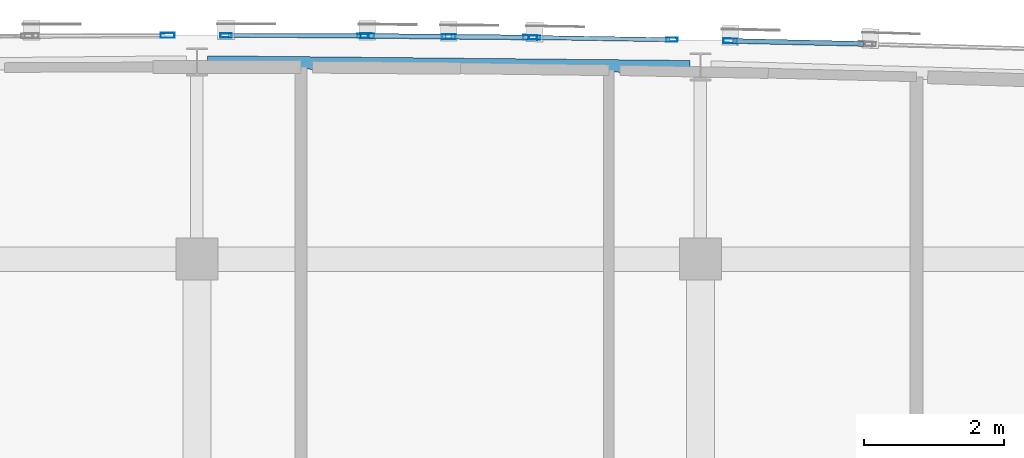
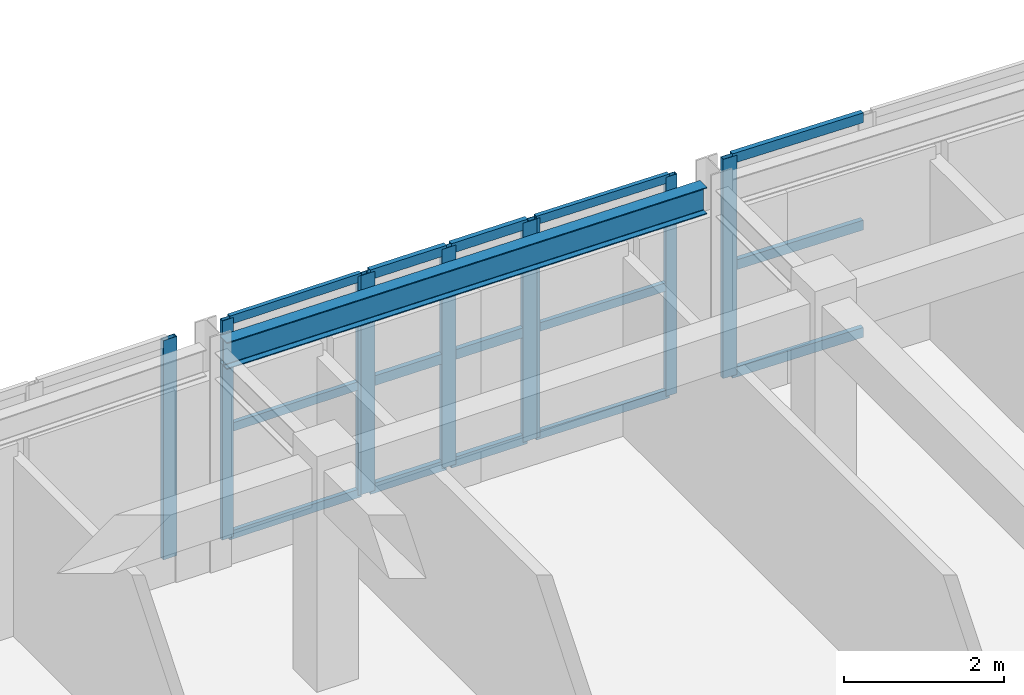
# One storey, part 18 of 48: 24 members, 1 beam, 5 elements without a shape of their own.
"""IFC4 building model written with IfcOpenShell, lengths in metres."""

from ifc_helpers import new_model, si_unit, direction, frame, origin, origin_2d, place, context, subcontext, project, spatial, hollow_rectangle, i_section, extrude, material, layer, layer_set, material_profile, profile_set, type_object, element, aggregate, save


model = new_model("IFC4")

# Units and contexts
model_context = context("Model", 3, precision=1e-05, world=origin(), true_north=direction((0.0, 1.0)))
body_context = subcontext(model_context, "Body", "Model", "MODEL_VIEW")
ifc_project = project(units=[si_unit("LENGTHUNIT", "METRE"), si_unit("AREAUNIT", "SQUARE_METRE"), si_unit("VOLUMEUNIT", "CUBIC_METRE"), si_unit("PLANEANGLEUNIT", "RADIAN"), si_unit("MASSUNIT", "GRAM", prefix="KILO")], contexts=[model_context])

# Site, building, storey
site_placement = place(None, origin())
site = spatial("IfcSite", under=ifc_project, at=site_placement, CompositionType="ELEMENT")
building_placement = place(site_placement, origin())
building = spatial("IfcBuilding", under=site, at=building_placement, Name="Carrowvane Square Congress Hotel", CompositionType="ELEMENT")
storey_placement = place(building_placement, frame((0.0, 0.0, 26.39990234375)))
storey = spatial("IfcBuildingStorey", under=building, at=storey_placement, Name="L06", CompositionType="ELEMENT", Elevation=26.39990234375)

# Beam
ifc_material_1 = material(Name="Steel S355", Category="steel")
ifc_material_profile_1 = material_profile(ifc_material_1, i_section(OverallWidth=0.1787109375, OverallDepth=0.409423828125, WebThickness=0.0087890625, FlangeThickness=0.014404296875, FilletRadius=0.01025390625, at=origin_2d()), Name="UKB 406x178x67")
ifc_profile_set_1 = profile_set([ifc_material_profile_1], Name="Steel S355")
beam_type = type_object("IfcBeamType", Name="BM-ST-UKB406", PredefinedType="BEAM", material=ifc_profile_set_1)
beam_placement = place(storey_placement, frame((98.14990234375, 116.218505859375, 3.1455078125), z_axis=(0.999952666563, -0.00972957518, 0.0), x_axis=(0.00972957518, 0.999952666563, 0.0)))
element("IfcBeam", 1, at=beam_placement, inside=storey, type_object=beam_type, Name="L07 curved north spandrel", PredefinedType="BEAM", context=body_context, shape_type="SweptSolid", body=[
    extrude(i_section(OverallWidth=0.1787109375, OverallDepth=0.409423828125, WebThickness=0.0087890625, FlangeThickness=0.014404296875, FilletRadius=0.01025390625, at=origin_2d()), origin(), (0.0, 0.0, 1.0), 6.900390625),
])

# Curtain wall, members
ifc_material_2 = material(Name="Anodised aluminium", Category="aluminium")
ifc_layer_1 = layer(ifc_material_2, 0.23388671875)
ifc_layer_set_1 = layer_set([ifc_layer_1], Name="Anodised aluminium")
curtain_wall_type_1 = type_object("IfcCurtainWallType", Name="CW-SYS-7", PredefinedType="NOTDEFINED", material=ifc_layer_set_1)
curtain_wall_1_placement = place(storey_placement, origin())
curtain_wall_1 = element("IfcCurtainWall", 2, at=curtain_wall_1_placement, inside=storey, type_object=curtain_wall_type_1, Name="L06 unitised curtain wall 382", PredefinedType="NOTDEFINED")
ifc_material_3 = material(Name="Anodised aluminium", Category="aluminium")
ifc_material_profile_2 = material_profile(ifc_material_3, hollow_rectangle(XDim=0.06005859375, YDim=0.159912109375, WallThickness=0.00390625, at=origin_2d()), Name="CW-ML 60x160x4")
ifc_profile_set_2 = profile_set([ifc_material_profile_2], Name="Anodised aluminium")
member_type_1 = type_object("IfcMemberType", Name="CW-MUL-1", PredefinedType="MULLION", material=ifc_profile_set_2)
member_1_placement = place(storey_placement, frame((98.414794921875, 116.5986328125, 0.0), z_axis=(0.0, 0.0, 1.0), x_axis=(0.003270307911, 0.999994652529, 0.0)))
member_1 = element("IfcMember", 3, at=member_1_placement, type_object=member_type_1, Name="CW-7 mullion 1", PredefinedType="MULLION", context=body_context, shape_type="SweptSolid", body=[
    extrude(hollow_rectangle(XDim=0.06005859375, YDim=0.159912109375, WallThickness=0.00390625, at=origin_2d()), origin(), (0.0, 0.0, 1.0), 3.35009765625),
])
member_2_placement = place(storey_placement, frame((100.369873046875, 116.59228515625, 0.0), z_axis=(0.0, 0.0, 1.0), x_axis=(0.003270307911, 0.999994652529, 0.0)))
member_2 = element("IfcMember", 4, at=member_2_placement, type_object=member_type_1, Name="CW-7 mullion 2", PredefinedType="MULLION", context=body_context, shape_type="SweptSolid", body=[
    extrude(hollow_rectangle(XDim=0.06005859375, YDim=0.159912109375, WallThickness=0.00390625, at=origin_2d()), origin(), (0.0, 0.0, 1.0), 3.35009765625),
])

ifc_material_4 = material(Name="Anodised aluminium", Category="aluminium")
ifc_layer_2 = layer(ifc_material_4, 0.162109375)
ifc_layer_set_2 = layer_set([ifc_layer_2], Name="Anodised aluminium")
curtain_wall_type_2 = type_object("IfcCurtainWallType", Name="CW-SYS-1", PredefinedType="NOTDEFINED", material=ifc_layer_set_2)
curtain_wall_2_placement = place(storey_placement, origin())
curtain_wall_2 = element("IfcCurtainWall", 5, at=curtain_wall_2_placement, inside=storey, type_object=curtain_wall_type_2, Name="L06 unitised curtain wall 384", PredefinedType="NOTDEFINED")
member_3_placement = place(storey_placement, frame((102.830078125, 116.568115234375, 0.0), z_axis=(0.0, 0.0, 1.0), x_axis=(0.016215981364, 0.99986851233, 0.0)))
member_3 = element("IfcMember", 6, at=member_3_placement, type_object=member_type_1, Name="CW-1 mullion 1", PredefinedType="MULLION", context=body_context, shape_type="SweptSolid", body=[
    extrude(hollow_rectangle(XDim=0.06005859375, YDim=0.159912109375, WallThickness=0.00390625, at=origin_2d()), origin(), (0.0, 0.0, 1.0), 3.35009765625),
])
member_4_placement = place(storey_placement, frame((104.79248046875, 116.536376953125, 0.0), z_axis=(0.0, 0.0, 1.0), x_axis=(0.016215981364, 0.99986851233, 0.0)))
member_4 = element("IfcMember", 7, at=member_4_placement, type_object=member_type_1, Name="CW-1 mullion 2", PredefinedType="MULLION", context=body_context, shape_type="SweptSolid", body=[
    extrude(hollow_rectangle(XDim=0.06005859375, YDim=0.159912109375, WallThickness=0.00390625, at=origin_2d()), origin(), (0.0, 0.0, 1.0), 3.35009765625),
])

# Curtain wall, member
ifc_material_5 = material(Name="Anodised aluminium", Category="aluminium")
ifc_layer_3 = layer(ifc_material_5, 0.221923828125)
ifc_layer_set_3 = layer_set([ifc_layer_3], Name="Anodised aluminium")
curtain_wall_type_3 = type_object("IfcCurtainWallType", Name="CW-SYS-6", PredefinedType="NOTDEFINED", material=ifc_layer_set_3)
curtain_wall_3_placement = place(storey_placement, origin())
curtain_wall_3 = element("IfcCurtainWall", 8, at=curtain_wall_3_placement, inside=storey, type_object=curtain_wall_type_3, Name="L06 unitised curtain wall 381", PredefinedType="NOTDEFINED")
ifc_material_6 = material(Name="Anodised aluminium", Category="aluminium")
ifc_material_profile_3 = material_profile(ifc_material_6, hollow_rectangle(XDim=0.070068359375, YDim=0.199951171875, WallThickness=0.0048828125, at=origin_2d()), Name="CW-ML 70x200x5")
ifc_profile_set_3 = profile_set([ifc_material_profile_3], Name="Anodised aluminium")
member_type_2 = type_object("IfcMemberType", Name="CW-MUL-2", PredefinedType="MULLION", material=ifc_profile_set_3)
member_5_placement = place(storey_placement, frame((97.580078125, 116.5986328125, 0.0), z_axis=(0.0, 0.0, 1.0), x_axis=(-0.003270307911, 0.999994652529, 0.0)))
member_5 = element("IfcMember", 9, at=member_5_placement, type_object=member_type_2, Name="CW-6 mullion 2", PredefinedType="MULLION", context=body_context, shape_type="SweptSolid", body=[
    extrude(hollow_rectangle(XDim=0.070068359375, YDim=0.199951171875, WallThickness=0.0048828125, at=origin_2d()), origin(), (0.0, 0.0, 1.0), 3.35009765625),
])
aggregate(curtain_wall_3, [member_5])

# Curtain wall, members
ifc_material_7 = material(Name="Anodised aluminium", Category="aluminium")
ifc_layer_4 = layer(ifc_material_7, 0.24609375)
ifc_layer_set_4 = layer_set([ifc_layer_4], Name="Anodised aluminium")
curtain_wall_type_4 = type_object("IfcCurtainWallType", Name="CW-SYS-8", PredefinedType="NOTDEFINED", material=ifc_layer_set_4)
curtain_wall_4_placement = place(storey_placement, origin())
curtain_wall_4 = element("IfcCurtainWall", 10, at=curtain_wall_4_placement, inside=storey, type_object=curtain_wall_type_4, Name="L06 unitised curtain wall 383", PredefinedType="NOTDEFINED")
member_6_placement = place(storey_placement, frame((100.43505859375, 116.591796875, 0.0), z_axis=(0.0, 0.0, 1.0), x_axis=(0.009782905924, 0.999952146231, 0.0)))
member_6 = element("IfcMember", 11, at=member_6_placement, type_object=member_type_2, Name="CW-8 mullion 1", PredefinedType="MULLION", context=body_context, shape_type="SweptSolid", body=[
    extrude(hollow_rectangle(XDim=0.070068359375, YDim=0.199951171875, WallThickness=0.0048828125, at=origin_2d()), origin(), (0.0, 0.0, 1.0), 3.35009765625),
])
member_7_placement = place(storey_placement, frame((101.60009765625, 116.580322265625, 0.0), z_axis=(0.0, 0.0, 1.0), x_axis=(0.009782905924, 0.999952146231, 0.0)))
member_7 = element("IfcMember", 12, at=member_7_placement, type_object=member_type_2, Name="CW-8 mullion 2", PredefinedType="MULLION", context=body_context, shape_type="SweptSolid", body=[
    extrude(hollow_rectangle(XDim=0.070068359375, YDim=0.199951171875, WallThickness=0.0048828125, at=origin_2d()), origin(), (0.0, 0.0, 1.0), 3.35009765625),
])
member_8_placement = place(storey_placement, frame((102.764892578125, 116.569091796875, 0.0), z_axis=(0.0, 0.0, 1.0), x_axis=(0.009782905924, 0.999952146231, 0.0)))
member_8 = element("IfcMember", 13, at=member_8_placement, type_object=member_type_2, Name="CW-8 mullion 3", PredefinedType="MULLION", context=body_context, shape_type="SweptSolid", body=[
    extrude(hollow_rectangle(XDim=0.070068359375, YDim=0.199951171875, WallThickness=0.0048828125, at=origin_2d()), origin(), (0.0, 0.0, 1.0), 3.35009765625),
])

# Curtain wall, member
ifc_material_8 = material(Name="Anodised aluminium", Category="aluminium")
ifc_layer_5 = layer(ifc_material_8, 0.174072265625)
ifc_layer_set_5 = layer_set([ifc_layer_5], Name="Anodised aluminium")
curtain_wall_type_5 = type_object("IfcCurtainWallType", Name="CW-SYS-2", PredefinedType="NOTDEFINED", material=ifc_layer_set_5)
curtain_wall_5_placement = place(storey_placement, origin())
curtain_wall_5 = element("IfcCurtainWall", 14, at=curtain_wall_5_placement, inside=storey, type_object=curtain_wall_type_5, Name="L06 unitised curtain wall 385", PredefinedType="NOTDEFINED")
member_9_placement = place(storey_placement, frame((105.627197265625, 116.52001953125, 0.0), z_axis=(0.0, 0.0, 1.0), x_axis=(0.022517686606, 0.99974644475, 0.0)))
member_9 = element("IfcMember", 15, at=member_9_placement, type_object=member_type_2, Name="CW-2 mullion 1", PredefinedType="MULLION", context=body_context, shape_type="SweptSolid", body=[
    extrude(hollow_rectangle(XDim=0.070068359375, YDim=0.199951171875, WallThickness=0.0048828125, at=origin_2d()), origin(), (0.0, 0.0, 1.0), 3.35009765625),
])

# Member
ifc_material_9 = material(Name="Anodised aluminium", Category="aluminium")
ifc_material_profile_4 = material_profile(ifc_material_9, hollow_rectangle(XDim=0.06005859375, YDim=0.1298828125, WallThickness=0.00390625, at=origin_2d()), Name="CW-TR 60x130x4")
ifc_profile_set_4 = profile_set([ifc_material_profile_4], Name="Anodised aluminium")
member_type_3 = type_object("IfcMemberType", Name="CW-TRN-1", PredefinedType="USERDEFINED", material=ifc_profile_set_4)
member_10_placement = place(storey_placement, frame((98.44482421875, 116.5986328125, 0.030029296875), z_axis=(0.999994391408, -0.003349201878, 0.0), x_axis=(0.003349201878, 0.999994391408, 0.0)))
member_10 = element("IfcMember", 16, at=member_10_placement, type_object=member_type_3, Name="CW-7 transom 1.1", ObjectType="TRANSOM", PredefinedType="USERDEFINED", context=body_context, shape_type="SweptSolid", body=[
    extrude(hollow_rectangle(XDim=0.06005859375, YDim=0.1298828125, WallThickness=0.00390625, at=origin_2d()), origin(), (0.0, 0.0, 1.0), 1.895263671875),
])

member_11_placement = place(storey_placement, frame((98.44482421875, 116.5986328125, 1.675048828125), z_axis=(0.999994391408, -0.003349201878, 0.0), x_axis=(0.003349201878, 0.999994391408, 0.0)))
member_11 = element("IfcMember", 17, at=member_11_placement, type_object=member_type_3, Name="CW-7 transom 1.2", ObjectType="TRANSOM", PredefinedType="USERDEFINED", context=body_context, shape_type="SweptSolid", body=[
    extrude(hollow_rectangle(XDim=0.06005859375, YDim=0.1298828125, WallThickness=0.00390625, at=origin_2d()), origin(), (0.0, 0.0, 1.0), 1.895263671875),
])

member_12_placement = place(storey_placement, frame((98.44482421875, 116.5986328125, 3.320068359375), z_axis=(0.999994391408, -0.003349201878, 0.0), x_axis=(0.003349201878, 0.999994391408, 0.0)))
member_12 = element("IfcMember", 18, at=member_12_placement, type_object=member_type_3, Name="CW-7 transom 1.3", ObjectType="TRANSOM", PredefinedType="USERDEFINED", context=body_context, shape_type="SweptSolid", body=[
    extrude(hollow_rectangle(XDim=0.06005859375, YDim=0.1298828125, WallThickness=0.00390625, at=origin_2d()), origin(), (0.0, 0.0, 1.0), 1.895263671875),
])

aggregate(curtain_wall_1, [member_1, member_2, member_10, member_11, member_12])

member_13_placement = place(storey_placement, frame((102.860107421875, 116.567626953125, 0.030029296875), z_axis=(0.999869284212, -0.016168317481, 0.0), x_axis=(0.016168317481, 0.999869284212, 0.0)))
member_13 = element("IfcMember", 19, at=member_13_placement, type_object=member_type_3, Name="CW-1 transom 1.1", ObjectType="TRANSOM", PredefinedType="USERDEFINED", context=body_context, shape_type="SweptSolid", body=[
    extrude(hollow_rectangle(XDim=0.06005859375, YDim=0.1298828125, WallThickness=0.00390625, at=origin_2d()), origin(), (0.0, 0.0, 1.0), 1.902587890625),
])

member_14_placement = place(storey_placement, frame((102.860107421875, 116.567626953125, 1.675048828125), z_axis=(0.999869284212, -0.016168317481, 0.0), x_axis=(0.016168317481, 0.999869284212, 0.0)))
member_14 = element("IfcMember", 20, at=member_14_placement, type_object=member_type_3, Name="CW-1 transom 1.2", ObjectType="TRANSOM", PredefinedType="USERDEFINED", context=body_context, shape_type="SweptSolid", body=[
    extrude(hollow_rectangle(XDim=0.06005859375, YDim=0.1298828125, WallThickness=0.00390625, at=origin_2d()), origin(), (0.0, 0.0, 1.0), 1.902587890625),
])

member_15_placement = place(storey_placement, frame((102.860107421875, 116.567626953125, 3.320068359375), z_axis=(0.999869284212, -0.016168317481, 0.0), x_axis=(0.016168317481, 0.999869284212, 0.0)))
member_15 = element("IfcMember", 21, at=member_15_placement, type_object=member_type_3, Name="CW-1 transom 1.3", ObjectType="TRANSOM", PredefinedType="USERDEFINED", context=body_context, shape_type="SweptSolid", body=[
    extrude(hollow_rectangle(XDim=0.06005859375, YDim=0.1298828125, WallThickness=0.00390625, at=origin_2d()), origin(), (0.0, 0.0, 1.0), 1.902587890625),
])

aggregate(curtain_wall_2, [member_3, member_4, member_13, member_14, member_15])

ifc_material_10 = material(Name="Anodised aluminium", Category="aluminium")
ifc_material_profile_5 = material_profile(ifc_material_10, hollow_rectangle(XDim=0.070068359375, YDim=0.14990234375, WallThickness=0.0048828125, at=origin_2d()), Name="CW-TR 70x150x5")
ifc_profile_set_5 = profile_set([ifc_material_profile_5], Name="Anodised aluminium")
member_type_4 = type_object("IfcMemberType", Name="CW-TRN-2", PredefinedType="USERDEFINED", material=ifc_profile_set_5)
member_16_placement = place(storey_placement, frame((100.469970703125, 116.591552734375, 0.03515625), z_axis=(0.999951880721, -0.009810007302, 0.0), x_axis=(0.009810007302, 0.999951880721, 0.0)))
member_16 = element("IfcMember", 22, at=member_16_placement, type_object=member_type_4, Name="CW-8 transom 1.1", ObjectType="TRANSOM", PredefinedType="USERDEFINED", context=body_context, shape_type="SweptSolid", body=[
    extrude(hollow_rectangle(XDim=0.070068359375, YDim=0.14990234375, WallThickness=0.0048828125, at=origin_2d()), origin(), (0.0, 0.0, 1.0), 1.094970703125),
])

member_17_placement = place(storey_placement, frame((100.469970703125, 116.591552734375, 1.675048828125), z_axis=(0.999951880721, -0.009810007302, 0.0), x_axis=(0.009810007302, 0.999951880721, 0.0)))
member_17 = element("IfcMember", 23, at=member_17_placement, type_object=member_type_4, Name="CW-8 transom 1.2", ObjectType="TRANSOM", PredefinedType="USERDEFINED", context=body_context, shape_type="SweptSolid", body=[
    extrude(hollow_rectangle(XDim=0.070068359375, YDim=0.14990234375, WallThickness=0.0048828125, at=origin_2d()), origin(), (0.0, 0.0, 1.0), 1.094970703125),
])

member_18_placement = place(storey_placement, frame((100.469970703125, 116.591552734375, 3.315185546875), z_axis=(0.999951880721, -0.009810007302, 0.0), x_axis=(0.009810007302, 0.999951880721, 0.0)))
member_18 = element("IfcMember", 24, at=member_18_placement, type_object=member_type_4, Name="CW-8 transom 1.3", ObjectType="TRANSOM", PredefinedType="USERDEFINED", context=body_context, shape_type="SweptSolid", body=[
    extrude(hollow_rectangle(XDim=0.070068359375, YDim=0.14990234375, WallThickness=0.0048828125, at=origin_2d()), origin(), (0.0, 0.0, 1.0), 1.094970703125),
])

member_19_placement = place(storey_placement, frame((101.635009765625, 116.580078125, 0.03515625), z_axis=(0.999951880721, -0.009810007302, 0.0), x_axis=(0.009810007302, 0.999951880721, 0.0)))
member_19 = element("IfcMember", 25, at=member_19_placement, type_object=member_type_4, Name="CW-8 transom 2.1", ObjectType="TRANSOM", PredefinedType="USERDEFINED", context=body_context, shape_type="SweptSolid", body=[
    extrude(hollow_rectangle(XDim=0.070068359375, YDim=0.14990234375, WallThickness=0.0048828125, at=origin_2d()), origin(), (0.0, 0.0, 1.0), 1.094970703125),
])

member_20_placement = place(storey_placement, frame((101.635009765625, 116.580078125, 1.675048828125), z_axis=(0.999951880721, -0.009810007302, 0.0), x_axis=(0.009810007302, 0.999951880721, 0.0)))
member_20 = element("IfcMember", 26, at=member_20_placement, type_object=member_type_4, Name="CW-8 transom 2.2", ObjectType="TRANSOM", PredefinedType="USERDEFINED", context=body_context, shape_type="SweptSolid", body=[
    extrude(hollow_rectangle(XDim=0.070068359375, YDim=0.14990234375, WallThickness=0.0048828125, at=origin_2d()), origin(), (0.0, 0.0, 1.0), 1.094970703125),
])

member_21_placement = place(storey_placement, frame((101.635009765625, 116.580078125, 3.315185546875), z_axis=(0.999951880721, -0.009810007302, 0.0), x_axis=(0.009810007302, 0.999951880721, 0.0)))
member_21 = element("IfcMember", 27, at=member_21_placement, type_object=member_type_4, Name="CW-8 transom 2.3", ObjectType="TRANSOM", PredefinedType="USERDEFINED", context=body_context, shape_type="SweptSolid", body=[
    extrude(hollow_rectangle(XDim=0.070068359375, YDim=0.14990234375, WallThickness=0.0048828125, at=origin_2d()), origin(), (0.0, 0.0, 1.0), 1.094970703125),
])

aggregate(curtain_wall_4, [member_6, member_7, member_8, member_16, member_17, member_18, member_19, member_20, member_21])

member_22_placement = place(storey_placement, frame((105.662353515625, 116.519287109375, 0.03515625), z_axis=(0.999747338303, -0.022477979371, 0.0), x_axis=(0.022477979371, 0.999747338303, 0.0)))
member_22 = element("IfcMember", 28, at=member_22_placement, type_object=member_type_4, Name="CW-2 transom 1.1", ObjectType="TRANSOM", PredefinedType="USERDEFINED", context=body_context, shape_type="SweptSolid", body=[
    extrude(hollow_rectangle(XDim=0.070068359375, YDim=0.14990234375, WallThickness=0.0048828125, at=origin_2d()), origin(), (0.0, 0.0, 1.0), 1.8681640625),
])

member_23_placement = place(storey_placement, frame((105.662353515625, 116.519287109375, 1.675048828125), z_axis=(0.999747338303, -0.022477979371, 0.0), x_axis=(0.022477979371, 0.999747338303, 0.0)))
member_23 = element("IfcMember", 29, at=member_23_placement, type_object=member_type_4, Name="CW-2 transom 1.2", ObjectType="TRANSOM", PredefinedType="USERDEFINED", context=body_context, shape_type="SweptSolid", body=[
    extrude(hollow_rectangle(XDim=0.070068359375, YDim=0.14990234375, WallThickness=0.0048828125, at=origin_2d()), origin(), (0.0, 0.0, 1.0), 1.8681640625),
])

member_24_placement = place(storey_placement, frame((105.662353515625, 116.519287109375, 3.315185546875), z_axis=(0.999747338303, -0.022477979371, 0.0), x_axis=(0.022477979371, 0.999747338303, 0.0)))
member_24 = element("IfcMember", 30, at=member_24_placement, type_object=member_type_4, Name="CW-2 transom 1.3", ObjectType="TRANSOM", PredefinedType="USERDEFINED", context=body_context, shape_type="SweptSolid", body=[
    extrude(hollow_rectangle(XDim=0.070068359375, YDim=0.14990234375, WallThickness=0.0048828125, at=origin_2d()), origin(), (0.0, 0.0, 1.0), 1.8681640625),
])

aggregate(curtain_wall_5, [member_9, member_22, member_23, member_24])

save(model, "model.ifc")
